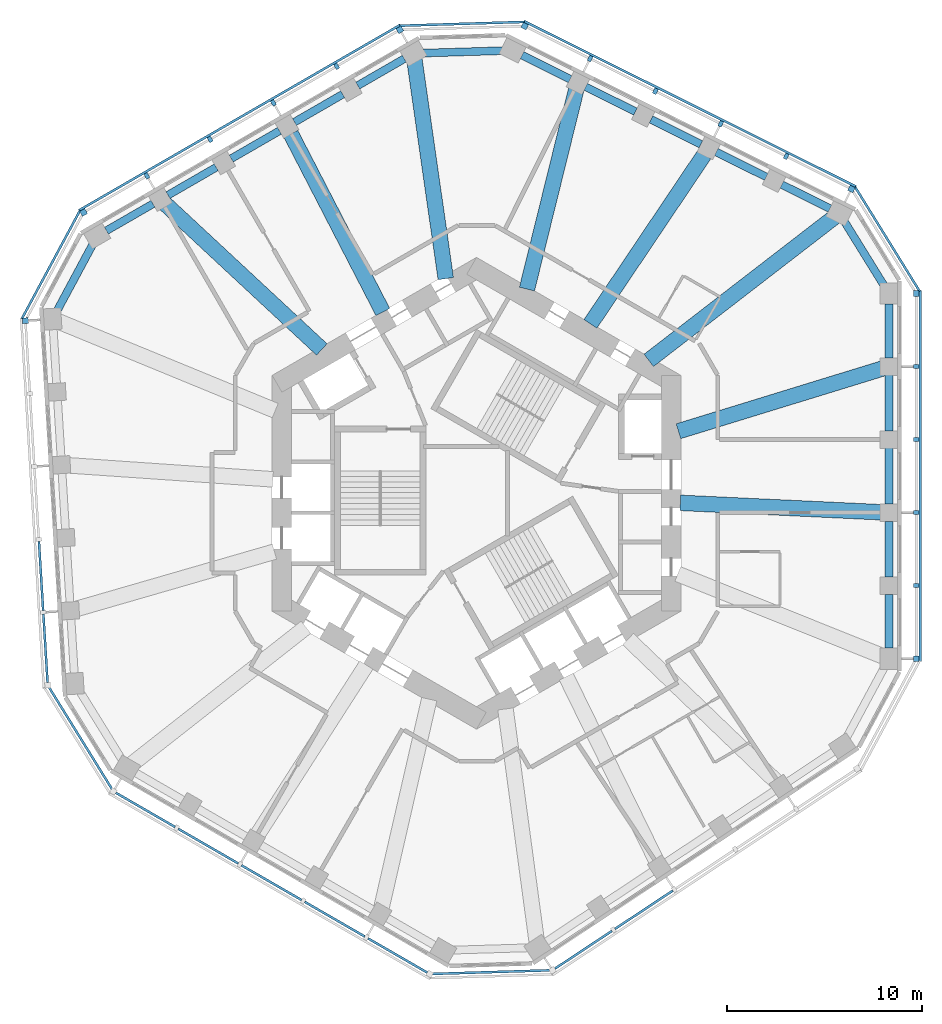
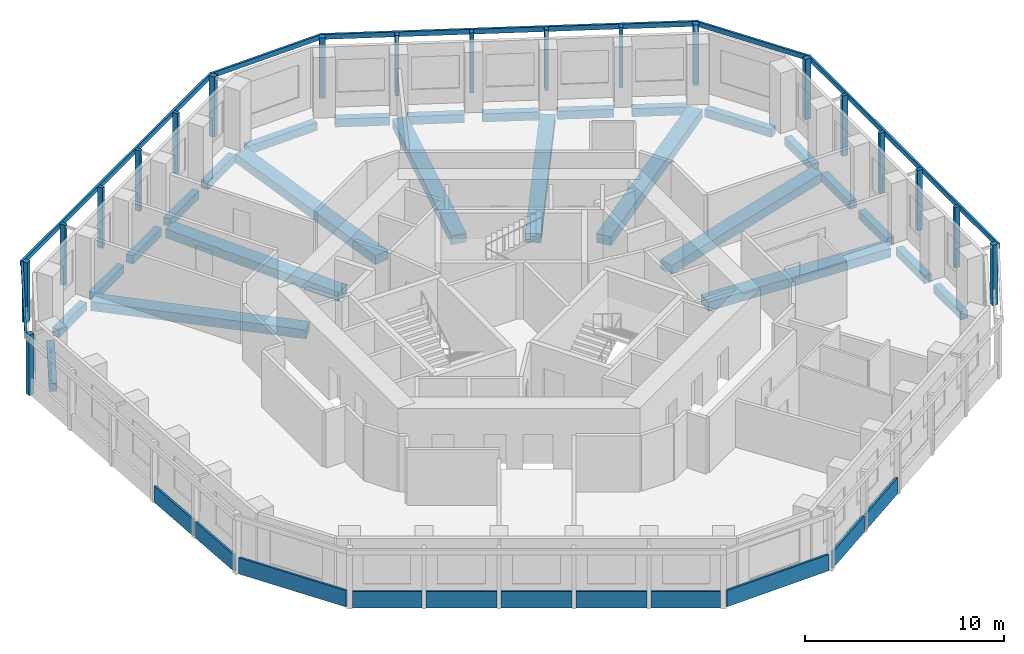
# One storey, part 2 of 10: 26 beams, 25 members, 11 plates, 11 elements without a shape of their own.
"""IFC4 building model written with IfcOpenShell, lengths in metres."""

from ifc_helpers import new_model, si_unit, direction, frame, origin, origin_2d, place, context, subcontext, project, spatial, rectangle, extrude, material, layer, layer_set, material_profile, profile_set, type_object, element, aggregate, save


model = new_model("IFC4")

# Units and contexts
model_context = context("Model", 3, precision=1e-05, world=origin(), true_north=direction((0.0, 1.0)))
body_context = subcontext(model_context, "Body", "Model", "MODEL_VIEW")
ifc_project = project(units=[si_unit("LENGTHUNIT", "METRE"), si_unit("AREAUNIT", "SQUARE_METRE"), si_unit("VOLUMEUNIT", "CUBIC_METRE"), si_unit("PLANEANGLEUNIT", "RADIAN"), si_unit("MASSUNIT", "GRAM", prefix="KILO")], contexts=[model_context])

# Site, building, storey
site_placement = place(None, origin())
site = spatial("IfcSite", under=ifc_project, at=site_placement, CompositionType="ELEMENT")
building_placement = place(site_placement, origin())
building = spatial("IfcBuilding", under=site, at=building_placement, Name="Vanh Sen Convention Tower", CompositionType="ELEMENT")
storey_placement = place(building_placement, frame((0.0, 0.0, 194.699951171875)))
storey = spatial("IfcBuildingStorey", under=building, at=storey_placement, Name="L48", CompositionType="ELEMENT", Elevation=194.699951171875)

# Curtain wall, members
ifc_material_1 = material(Name="Concrete C50/60", Category="concrete")
curtain_wall_type = type_object("IfcCurtainWallType", Name="Outer skin office zone", PredefinedType="NOTDEFINED", material=ifc_material_1)
curtain_wall_1_placement = place(storey_placement, origin())
curtain_wall_1 = element("IfcCurtainWall", 1, at=curtain_wall_1_placement, inside=storey, type_object=curtain_wall_type, Name="OUTER SKIN E L48", PredefinedType="NOTDEFINED")
ifc_material_profile_1 = material_profile(ifc_material_1, rectangle(XDim=0.300048828125, YDim=0.300048828125, at=origin_2d()), Name="Outer skin precast corner fin 300 x 300")
ifc_profile_set_1 = profile_set([ifc_material_profile_1], Name="Concrete C50/60")
member_type_1 = type_object("IfcMemberType", Name="Outer skin precast corner fin 300 x 300", PredefinedType="MULLION", material=ifc_profile_set_1)
member_1_placement = place(storey_placement, frame((22.60009765625, -8.5009765625, 0.0), z_axis=(0.0, 0.0, 1.0), x_axis=(0.0, 1.0, 0.0)))
member_1 = element("IfcMember", 2, at=member_1_placement, type_object=member_type_1, Name="OUTER SKIN CORNER FIN 1 E L48", PredefinedType="MULLION", context=body_context, shape_type="SweptSolid", body=[
    extrude(rectangle(XDim=0.300048828125, YDim=0.300048828125, at=origin_2d()), origin(), (0.0, 0.0, 1.0), 3.699951171875),
])
member_2_placement = place(storey_placement, frame((22.60009765625, 10.26953125, 0.0), z_axis=(0.0, 0.0, 1.0), x_axis=(0.0, 1.0, 0.0)))
member_2 = element("IfcMember", 3, at=member_2_placement, type_object=member_type_1, Name="OUTER SKIN CORNER FIN 6 E L48", PredefinedType="MULLION", context=body_context, shape_type="SweptSolid", body=[
    extrude(rectangle(XDim=0.300048828125, YDim=0.300048828125, at=origin_2d()), origin(), (0.0, 0.0, 1.0), 3.699951171875),
])

curtain_wall_2_placement = place(storey_placement, origin())
curtain_wall_2 = element("IfcCurtainWall", 4, at=curtain_wall_2_placement, inside=storey, type_object=curtain_wall_type, Name="OUTER SKIN NE L48", PredefinedType="NOTDEFINED")
member_3_placement = place(storey_placement, frame((19.274658203125, 15.643310546875, 0.0), z_axis=(0.0, 0.0, 1.0), x_axis=(-0.894934361602, 0.44619781311, 0.0)))
member_3 = element("IfcMember", 5, at=member_3_placement, type_object=member_type_1, Name="OUTER SKIN CORNER FIN 1 NE L48", PredefinedType="MULLION", context=body_context, shape_type="SweptSolid", body=[
    extrude(rectangle(XDim=0.300048828125, YDim=0.300048828125, at=origin_2d()), origin(), (0.0, 0.0, 1.0), 3.699951171875),
])
member_4_placement = place(storey_placement, frame((2.476318359375, 24.0185546875, 0.0), z_axis=(0.0, 0.0, 1.0), x_axis=(-0.894934361602, 0.44619781311, 0.0)))
member_4 = element("IfcMember", 6, at=member_4_placement, type_object=member_type_1, Name="OUTER SKIN CORNER FIN 6 NE L48", PredefinedType="MULLION", context=body_context, shape_type="SweptSolid", body=[
    extrude(rectangle(XDim=0.300048828125, YDim=0.300048828125, at=origin_2d()), origin(), (0.0, 0.0, 1.0), 3.699951171875),
])

curtain_wall_3_placement = place(storey_placement, origin())
curtain_wall_3 = element("IfcCurtainWall", 7, at=curtain_wall_3_placement, inside=storey, type_object=curtain_wall_type, Name="OUTER SKIN NW L48", PredefinedType="NOTDEFINED")
member_5_placement = place(storey_placement, frame((-3.93798828125, 23.822509765625, 0.0), z_axis=(0.0, 0.0, 1.0), x_axis=(-0.866025403784, -0.5, 0.0)))
member_5 = element("IfcMember", 8, at=member_5_placement, type_object=member_type_1, Name="OUTER SKIN CORNER FIN 1 NW L48", PredefinedType="MULLION", context=body_context, shape_type="SweptSolid", body=[
    extrude(rectangle(XDim=0.300048828125, YDim=0.300048828125, at=origin_2d()), origin(), (0.0, 0.0, 1.0), 3.699951171875),
])
member_6_placement = place(storey_placement, frame((-20.193603515625, 14.4375, 0.0), z_axis=(0.0, 0.0, 1.0), x_axis=(-0.866025403784, -0.5, 0.0)))
member_6 = element("IfcMember", 9, at=member_6_placement, type_object=member_type_1, Name="OUTER SKIN CORNER FIN 6 NW L48", PredefinedType="MULLION", context=body_context, shape_type="SweptSolid", body=[
    extrude(rectangle(XDim=0.300048828125, YDim=0.300048828125, at=origin_2d()), origin(), (0.0, 0.0, 1.0), 3.699951171875),
])

# Curtain wall, member
curtain_wall_4_placement = place(storey_placement, origin())
curtain_wall_4 = element("IfcCurtainWall", 10, at=curtain_wall_4_placement, inside=storey, type_object=curtain_wall_type, Name="OUTER SKIN W L48", PredefinedType="NOTDEFINED")
member_7_placement = place(storey_placement, frame((-23.184814453125, 8.87060546875, 0.0), z_axis=(0.0, 0.0, 1.0), x_axis=(0.061048539535, -0.998134798422, 0.0)))
member_7 = element("IfcMember", 11, at=member_7_placement, type_object=member_type_1, Name="OUTER SKIN CORNER FIN 1 W L48", PredefinedType="MULLION", context=body_context, shape_type="SweptSolid", body=[
    extrude(rectangle(XDim=0.300048828125, YDim=0.300048828125, at=origin_2d()), origin(), (0.0, 0.0, 1.0), 3.699951171875),
])

# Member
ifc_material_profile_2 = material_profile(ifc_material_1, rectangle(XDim=0.199951171875, YDim=0.300048828125, at=origin_2d()), Name="Outer skin precast fin 200 x 300")
ifc_profile_set_2 = profile_set([ifc_material_profile_2], Name="Concrete C50/60")
member_type_2 = type_object("IfcMemberType", Name="Outer skin precast fin 200 x 300", PredefinedType="MULLION", material=ifc_profile_set_2)
member_8_placement = place(storey_placement, frame((22.60009765625, -4.746826171875, 0.0), z_axis=(0.0, 0.0, 1.0), x_axis=(0.0, 1.0, 0.0)))
member_8 = element("IfcMember", 12, at=member_8_placement, type_object=member_type_2, Name="OUTER SKIN fin 2 E L48", PredefinedType="MULLION", context=body_context, shape_type="SweptSolid", body=[
    extrude(rectangle(XDim=0.199951171875, YDim=0.300048828125, at=origin_2d()), origin(), (0.0, 0.0, 1.0), 3.699951171875),
])

member_9_placement = place(storey_placement, frame((22.60009765625, -0.992919921875, 0.0), z_axis=(0.0, 0.0, 1.0), x_axis=(0.0, 1.0, 0.0)))
member_9 = element("IfcMember", 13, at=member_9_placement, type_object=member_type_2, Name="OUTER SKIN fin 3 E L48", PredefinedType="MULLION", context=body_context, shape_type="SweptSolid", body=[
    extrude(rectangle(XDim=0.199951171875, YDim=0.300048828125, at=origin_2d()), origin(), (0.0, 0.0, 1.0), 3.699951171875),
])

member_10_placement = place(storey_placement, frame((22.60009765625, 2.76123046875, 0.0), z_axis=(0.0, 0.0, 1.0), x_axis=(0.0, 1.0, 0.0)))
member_10 = element("IfcMember", 14, at=member_10_placement, type_object=member_type_2, Name="OUTER SKIN fin 4 E L48", PredefinedType="MULLION", context=body_context, shape_type="SweptSolid", body=[
    extrude(rectangle(XDim=0.199951171875, YDim=0.300048828125, at=origin_2d()), origin(), (0.0, 0.0, 1.0), 3.699951171875),
])

member_11_placement = place(storey_placement, frame((22.60009765625, 6.515380859375, 0.0), z_axis=(0.0, 0.0, 1.0), x_axis=(0.0, 1.0, 0.0)))
member_11 = element("IfcMember", 15, at=member_11_placement, type_object=member_type_2, Name="OUTER SKIN fin 5 E L48", PredefinedType="MULLION", context=body_context, shape_type="SweptSolid", body=[
    extrude(rectangle(XDim=0.199951171875, YDim=0.300048828125, at=origin_2d()), origin(), (0.0, 0.0, 1.0), 3.699951171875),
])

member_12_placement = place(storey_placement, frame((15.9150390625, 17.318359375, 0.0), z_axis=(0.0, 0.0, 1.0), x_axis=(-0.894934361602, 0.44619781311, 0.0)))
member_12 = element("IfcMember", 16, at=member_12_placement, type_object=member_type_2, Name="OUTER SKIN fin 2 NE L48", PredefinedType="MULLION", context=body_context, shape_type="SweptSolid", body=[
    extrude(rectangle(XDim=0.199951171875, YDim=0.300048828125, at=origin_2d()), origin(), (0.0, 0.0, 1.0), 3.699951171875),
])

member_13_placement = place(storey_placement, frame((12.555419921875, 18.993408203125, 0.0), z_axis=(0.0, 0.0, 1.0), x_axis=(-0.894934361602, 0.44619781311, 0.0)))
member_13 = element("IfcMember", 17, at=member_13_placement, type_object=member_type_2, Name="OUTER SKIN fin 3 NE L48", PredefinedType="MULLION", context=body_context, shape_type="SweptSolid", body=[
    extrude(rectangle(XDim=0.199951171875, YDim=0.300048828125, at=origin_2d()), origin(), (0.0, 0.0, 1.0), 3.699951171875),
])

member_14_placement = place(storey_placement, frame((9.195556640625, 20.66845703125, 0.0), z_axis=(0.0, 0.0, 1.0), x_axis=(-0.894934361602, 0.44619781311, 0.0)))
member_14 = element("IfcMember", 18, at=member_14_placement, type_object=member_type_2, Name="OUTER SKIN fin 4 NE L48", PredefinedType="MULLION", context=body_context, shape_type="SweptSolid", body=[
    extrude(rectangle(XDim=0.199951171875, YDim=0.300048828125, at=origin_2d()), origin(), (0.0, 0.0, 1.0), 3.699951171875),
])

member_15_placement = place(storey_placement, frame((5.8359375, 22.343505859375, 0.0), z_axis=(0.0, 0.0, 1.0), x_axis=(-0.894934361602, 0.44619781311, 0.0)))
member_15 = element("IfcMember", 19, at=member_15_placement, type_object=member_type_2, Name="OUTER SKIN fin 5 NE L48", PredefinedType="MULLION", context=body_context, shape_type="SweptSolid", body=[
    extrude(rectangle(XDim=0.199951171875, YDim=0.300048828125, at=origin_2d()), origin(), (0.0, 0.0, 1.0), 3.699951171875),
])

member_16_placement = place(storey_placement, frame((-7.189208984375, 21.945556640625, 0.0), z_axis=(0.0, 0.0, 1.0), x_axis=(-0.866025403784, -0.5, 0.0)))
member_16 = element("IfcMember", 20, at=member_16_placement, type_object=member_type_2, Name="OUTER SKIN fin 2 NW L48", PredefinedType="MULLION", context=body_context, shape_type="SweptSolid", body=[
    extrude(rectangle(XDim=0.199951171875, YDim=0.300048828125, at=origin_2d()), origin(), (0.0, 0.0, 1.0), 3.699951171875),
])

member_17_placement = place(storey_placement, frame((-10.440185546875, 20.068603515625, 0.0), z_axis=(0.0, 0.0, 1.0), x_axis=(-0.866025403784, -0.5, 0.0)))
member_17 = element("IfcMember", 21, at=member_17_placement, type_object=member_type_2, Name="OUTER SKIN fin 3 NW L48", PredefinedType="MULLION", context=body_context, shape_type="SweptSolid", body=[
    extrude(rectangle(XDim=0.199951171875, YDim=0.300048828125, at=origin_2d()), origin(), (0.0, 0.0, 1.0), 3.699951171875),
])

member_18_placement = place(storey_placement, frame((-13.69140625, 18.19140625, 0.0), z_axis=(0.0, 0.0, 1.0), x_axis=(-0.866025403784, -0.5, 0.0)))
member_18 = element("IfcMember", 22, at=member_18_placement, type_object=member_type_2, Name="OUTER SKIN fin 4 NW L48", PredefinedType="MULLION", context=body_context, shape_type="SweptSolid", body=[
    extrude(rectangle(XDim=0.199951171875, YDim=0.300048828125, at=origin_2d()), origin(), (0.0, 0.0, 1.0), 3.699951171875),
])

member_19_placement = place(storey_placement, frame((-16.9423828125, 16.314453125, 0.0), z_axis=(0.0, 0.0, 1.0), x_axis=(-0.866025403784, -0.5, 0.0)))
member_19 = element("IfcMember", 23, at=member_19_placement, type_object=member_type_2, Name="OUTER SKIN fin 5 NW L48", PredefinedType="MULLION", context=body_context, shape_type="SweptSolid", body=[
    extrude(rectangle(XDim=0.199951171875, YDim=0.300048828125, at=origin_2d()), origin(), (0.0, 0.0, 1.0), 3.699951171875),
])

ifc_material_profile_3 = material_profile(ifc_material_1, rectangle(XDim=0.1201171875, YDim=0.300048828125, at=origin_2d()), Name="Outer skin precast spandrel band 300 x 120")
ifc_profile_set_3 = profile_set([ifc_material_profile_3], Name="Concrete C50/60")
member_type_3 = type_object("IfcMemberType", Name="Outer skin precast spandrel band 300 x 120", PredefinedType="USERDEFINED", material=ifc_profile_set_3)
member_20_placement = place(storey_placement, frame((22.81005859375, -8.65087890625, 3.550048828125), z_axis=(0.0, 1.0, 0.0), x_axis=(-1.0, 0.0, 0.0)))
member_20 = element("IfcMember", 24, at=member_20_placement, type_object=member_type_3, Name="OUTER SKIN spandrel band E L48", ObjectType="TRANSOM", PredefinedType="USERDEFINED", context=body_context, shape_type="SweptSolid", body=[
    extrude(rectangle(XDim=0.1201171875, YDim=0.300048828125, at=origin_2d()), origin(), (0.0, 0.0, 1.0), 19.0703125),
])

aggregate(curtain_wall_1, [member_1, member_8, member_9, member_10, member_11, member_2, member_20])

# Curtain wall, member
curtain_wall_5_placement = place(storey_placement, origin())
curtain_wall_5 = element("IfcCurtainWall", 25, at=curtain_wall_5_placement, inside=storey, type_object=curtain_wall_type, Name="OUTER SKIN CH1 L48", PredefinedType="NOTDEFINED")
member_21_placement = place(storey_placement, frame((22.778564453125, 10.3798828125, 3.550048828125), z_axis=(-0.526173726926, 0.850377098171, 0.0), x_axis=(-0.850377098171, -0.526173726926, 0.0)))
member_21 = element("IfcMember", 26, at=member_21_placement, type_object=member_type_3, Name="OUTER SKIN spandrel band CH1 L48", ObjectType="TRANSOM", PredefinedType="USERDEFINED", context=body_context, shape_type="SweptSolid", body=[
    extrude(rectangle(XDim=0.1201171875, YDim=0.300048828125, at=origin_2d()), origin(), (0.0, 0.0, 1.0), 6.319580078125),
])
aggregate(curtain_wall_5, [member_21])

# Member
member_22_placement = place(storey_placement, frame((19.502685546875, 15.764404296875, 3.550048828125), z_axis=(-0.894941234474, 0.446184027996, 0.0), x_axis=(-0.446184027996, -0.894941234474, 0.0)))
member_22 = element("IfcMember", 27, at=member_22_placement, type_object=member_type_3, Name="OUTER SKIN spandrel band NE L48", ObjectType="TRANSOM", PredefinedType="USERDEFINED", context=body_context, shape_type="SweptSolid", body=[
    extrude(rectangle(XDim=0.1201171875, YDim=0.300048828125, at=origin_2d()), origin(), (0.0, 0.0, 1.0), 19.07080078125),
])

aggregate(curtain_wall_2, [member_3, member_12, member_13, member_14, member_15, member_4, member_22])

# Curtain wall, member
curtain_wall_6_placement = place(storey_placement, origin())
curtain_wall_6 = element("IfcCurtainWall", 28, at=curtain_wall_6_placement, inside=storey, type_object=curtain_wall_type, Name="OUTER SKIN CH2 L48", PredefinedType="NOTDEFINED")
member_23_placement = place(storey_placement, frame((2.4697265625, 24.228515625, 3.550048828125), z_axis=(-0.999533221695, -0.030550592913, 0.0), x_axis=(0.030550592913, -0.999533221695, 0.0)))
member_23 = element("IfcMember", 29, at=member_23_placement, type_object=member_type_3, Name="OUTER SKIN spandrel band CH2 L48", ObjectType="TRANSOM", PredefinedType="USERDEFINED", context=body_context, shape_type="SweptSolid", body=[
    extrude(rectangle(XDim=0.1201171875, YDim=0.300048828125, at=origin_2d()), origin(), (0.0, 0.0, 1.0), 6.4169921875),
])
aggregate(curtain_wall_6, [member_23])

# Member
member_24_placement = place(storey_placement, frame((-3.9130859375, 24.07958984375, 3.550048828125), z_axis=(-0.866023136587, -0.500003926881, 0.0), x_axis=(0.500003926881, -0.866023136587, 0.0)))
member_24 = element("IfcMember", 30, at=member_24_placement, type_object=member_type_3, Name="OUTER SKIN spandrel band NW L48", ObjectType="TRANSOM", PredefinedType="USERDEFINED", context=body_context, shape_type="SweptSolid", body=[
    extrude(rectangle(XDim=0.1201171875, YDim=0.300048828125, at=origin_2d()), origin(), (0.0, 0.0, 1.0), 19.070556640625),
])

aggregate(curtain_wall_3, [member_5, member_16, member_17, member_18, member_19, member_6, member_24])

# Curtain wall, member
curtain_wall_7_placement = place(storey_placement, origin())
curtain_wall_7 = element("IfcCurtainWall", 31, at=curtain_wall_7_placement, inside=storey, type_object=curtain_wall_type, Name="OUTER SKIN CH3 L48", PredefinedType="NOTDEFINED")
member_25_placement = place(storey_placement, frame((-20.378662109375, 14.536865234375, 3.550048828125), z_axis=(-0.47333707755, -0.880881383057, 0.0), x_axis=(0.880881383057, -0.47333707755, 0.0)))
member_25 = element("IfcMember", 32, at=member_25_placement, type_object=member_type_3, Name="OUTER SKIN spandrel band CH3 L48", ObjectType="TRANSOM", PredefinedType="USERDEFINED", context=body_context, shape_type="SweptSolid", body=[
    extrude(rectangle(XDim=0.1201171875, YDim=0.300048828125, at=origin_2d()), origin(), (0.0, 0.0, 1.0), 6.3193359375),
])
aggregate(curtain_wall_7, [member_25])

# Beams
ifc_material_2 = material(Name="Concrete C50/60", Category="concrete")
ifc_material_profile_4 = material_profile(ifc_material_2, rectangle(XDim=0.800048828125, YDim=0.550048828125, at=origin_2d()), Name="RC 800X550")
ifc_profile_set_4 = profile_set([ifc_material_profile_4], Name="Concrete C50/60")
beam_type_1 = type_object("IfcBeamType", Name="Radial floor beam 800 x 550", PredefinedType="BEAM", material=ifc_profile_set_4)
beam_1_placement = place(storey_placement, frame((20.773681640625, -0.972900390625, -0.554931640625), z_axis=(-0.998904385593, 0.046797739721, 0.0), x_axis=(-0.046797739721, -0.998904385593, 0.0)))
element("IfcBeam", 33, at=beam_1_placement, inside=storey, type_object=beam_type_1, Name="Radial beam 02 L48", PredefinedType="BEAM", context=body_context, shape_type="SweptSolid", body=[
    extrude(rectangle(XDim=0.800048828125, YDim=0.550048828125, at=origin_2d()), origin(), (0.0, 0.0, 1.0), 10.30859375),
])
beam_2_placement = place(storey_placement, frame((20.984619140625, 6.44921875, -0.554931640625), z_axis=(-0.955877901986, -0.293764253264, 0.0), x_axis=(0.293764253264, -0.955877901986, 0.0)))
element("IfcBeam", 34, at=beam_2_placement, inside=storey, type_object=beam_type_1, Name="Radial beam 03 L48", PredefinedType="BEAM", context=body_context, shape_type="SweptSolid", body=[
    extrude(rectangle(XDim=0.800048828125, YDim=0.550048828125, at=origin_2d()), origin(), (0.0, 0.0, 1.0), 11.096435546875),
])
beam_3_placement = place(storey_placement, frame((18.41162109375, 14.206298828125, -0.554931640625), z_axis=(-0.791722449679, -0.610880972591, 0.0), x_axis=(0.610880972591, -0.791722449679, 0.0)))
element("IfcBeam", 35, at=beam_3_placement, inside=storey, type_object=beam_type_1, Name="Radial beam 04 L48", PredefinedType="BEAM", context=body_context, shape_type="SweptSolid", body=[
    extrude(rectangle(XDim=0.800048828125, YDim=0.550048828125, at=origin_2d()), origin(), (0.0, 0.0, 1.0), 12.072021484375),
])
beam_4_placement = place(storey_placement, frame((11.709228515625, 17.411376953125, -0.554931640625), z_axis=(-0.55804705103, -0.829809308719, 0.0), x_axis=(0.829809308719, -0.55804705103, 0.0)))
element("IfcBeam", 36, at=beam_4_placement, inside=storey, type_object=beam_type_1, Name="Radial beam 05 L48", PredefinedType="BEAM", context=body_context, shape_type="SweptSolid", body=[
    extrude(rectangle(XDim=0.800048828125, YDim=0.550048828125, at=origin_2d()), origin(), (0.0, 0.0, 1.0), 10.490234375),
])
beam_5_placement = place(storey_placement, frame((5.14697265625, 20.83056640625, -0.554931640625), z_axis=(-0.239880379488, -0.970802453405, 0.0), x_axis=(0.970802453405, -0.239880379488, 0.0)))
element("IfcBeam", 37, at=beam_5_placement, inside=storey, type_object=beam_type_1, Name="Radial beam 06 L48", PredefinedType="BEAM", context=body_context, shape_type="SweptSolid", body=[
    extrude(rectangle(XDim=0.800048828125, YDim=0.550048828125, at=origin_2d()), origin(), (0.0, 0.0, 1.0), 10.647705078125),
])
beam_6_placement = place(storey_placement, frame((-3.192626953125, 22.2939453125, -0.554931640625), z_axis=(0.141775948022, -0.989898772887, 0.0), x_axis=(0.989898772887, 0.141775948022, 0.0)))
element("IfcBeam", 38, at=beam_6_placement, inside=storey, type_object=beam_type_1, Name="Radial beam 07 L48", PredefinedType="BEAM", context=body_context, shape_type="SweptSolid", body=[
    extrude(rectangle(XDim=0.800048828125, YDim=0.550048828125, at=origin_2d()), origin(), (0.0, 0.0, 1.0), 11.3740234375),
])
beam_7_placement = place(storey_placement, frame((-9.544189453125, 18.476806640625, -0.554931640625), z_axis=(0.458940914306, -0.888466790137, 0.0), x_axis=(0.888466790137, 0.458940914306, 0.0)))
element("IfcBeam", 39, at=beam_7_placement, inside=storey, type_object=beam_type_1, Name="Radial beam 08 L48", PredefinedType="BEAM", context=body_context, shape_type="SweptSolid", body=[
    extrude(rectangle(XDim=0.800048828125, YDim=0.550048828125, at=origin_2d()), origin(), (0.0, 0.0, 1.0), 10.308349609375),
])
beam_8_placement = place(storey_placement, frame((-16.077392578125, 14.948486328125, -0.554931640625), z_axis=(0.732348237662, -0.680930289232, 0.0), x_axis=(0.680930289232, 0.732348237662, 0.0)))
element("IfcBeam", 40, at=beam_8_placement, inside=storey, type_object=beam_type_1, Name="Radial beam 09 L48", PredefinedType="BEAM", context=body_context, shape_type="SweptSolid", body=[
    extrude(rectangle(XDim=0.800048828125, YDim=0.550048828125, at=origin_2d()), origin(), (0.0, 0.0, 1.0), 11.096435546875),
])
ifc_material_profile_5 = material_profile(ifc_material_2, rectangle(XDim=0.39990234375, YDim=0.5, at=origin_2d()), Name="RC 400X500")
ifc_profile_set_5 = profile_set([ifc_material_profile_5], Name="Concrete C50/60")
beam_type_2 = type_object("IfcBeamType", Name="Spandrel beam 400 x 500", PredefinedType="SPANDREL", material=ifc_profile_set_5)
beam_9_placement = place(storey_placement, frame((21.199951171875, -7.9560546875, -0.530029296875), z_axis=(0.0, 1.0, 0.0), x_axis=(-1.0, 0.0, 0.0)))
element("IfcBeam", 41, at=beam_9_placement, inside=storey, type_object=beam_type_2, Name="Spandrel beam 01 L48", PredefinedType="SPANDREL", context=body_context, shape_type="SweptSolid", body=[
    extrude(rectangle(XDim=0.39990234375, YDim=0.5, at=origin_2d()), origin(), (0.0, 0.0, 1.0), 2.76416015625),
])
for number, where, z_axis, x_axis, name in (
    (42, (21.199951171875, -4.302001953125, -0.530029296875), (0.0, 1.0, 0.0), (-1.0, 0.0, 0.0), "Spandrel beam 02 L48"),
    (43, (21.199951171875, -0.5478515625, -0.530029296875), (0.0, 1.0, 0.0), (-1.0, 0.0, 0.0), "Spandrel beam 03 L48"),
):
    element("IfcBeam", number, at=place(storey_placement, frame(where, z_axis=z_axis, x_axis=x_axis)), inside=storey, type_object=beam_type_2, Name=name, PredefinedType="SPANDREL", context=body_context, shape_type="SweptSolid", body=[
        extrude(rectangle(XDim=0.39990234375, YDim=0.5, at=origin_2d()), origin(), (0.0, 0.0, 1.0), 2.8642578125),
    ])
beam_10_placement = place(storey_placement, frame((21.199951171875, 3.206298828125, -0.530029296875), z_axis=(0.0, 1.0, 0.0), x_axis=(-1.0, 0.0, 0.0)))
element("IfcBeam", 44, at=beam_10_placement, inside=storey, type_object=beam_type_2, Name="Spandrel beam 04 L48", PredefinedType="SPANDREL", context=body_context, shape_type="SweptSolid", body=[
    extrude(rectangle(XDim=0.39990234375, YDim=0.5, at=origin_2d()), origin(), (0.0, 0.0, 1.0), 2.864013671875),
])
beam_11_placement = place(storey_placement, frame((21.199951171875, 6.96044921875, -0.530029296875), z_axis=(0.0, 1.0, 0.0), x_axis=(-1.0, 0.0, 0.0)))
element("IfcBeam", 45, at=beam_11_placement, inside=storey, type_object=beam_type_2, Name="Spandrel beam 05 L48", PredefinedType="SPANDREL", context=body_context, shape_type="SweptSolid", body=[
    extrude(rectangle(XDim=0.39990234375, YDim=0.5, at=origin_2d()), origin(), (0.0, 0.0, 1.0), 2.76416015625),
])
beam_12_placement = place(storey_placement, frame((20.927490234375, 10.7099609375, -0.530029296875), z_axis=(-0.526197985388, 0.850362087686, 0.0), x_axis=(-0.850362087686, -0.526197985388, 0.0)))
element("IfcBeam", 46, at=beam_12_placement, inside=storey, type_object=beam_type_2, Name="Spandrel beam 06 L48", PredefinedType="SPANDREL", context=body_context, shape_type="SweptSolid", body=[
    extrude(rectangle(XDim=0.39990234375, YDim=0.5, at=origin_2d()), origin(), (0.0, 0.0, 1.0), 3.81005859375),
])
beam_13_placement = place(storey_placement, frame((18.162353515625, 14.633544921875, -0.530029296875), z_axis=(-0.894938855842, 0.446188798945, 0.0), x_axis=(-0.446188798945, -0.894938855842, 0.0)))
element("IfcBeam", 47, at=beam_13_placement, inside=storey, type_object=beam_type_2, Name="Spandrel beam 07 L48", PredefinedType="SPANDREL", context=body_context, shape_type="SweptSolid", body=[
    extrude(rectangle(XDim=0.39990234375, YDim=0.5, at=origin_2d()), origin(), (0.0, 0.0, 1.0), 2.764404296875),
])
for number, where, z_axis, x_axis, name in (
    (48, (14.89208984375, 16.263916015625, -0.530029296875), (-0.894921028884, 0.446224553406, 0.0), (-0.446224553406, -0.894921028884, 0.0), "Spandrel beam 08 L48"),
    (49, (11.532470703125, 17.939208984375, -0.530029296875), (-0.894972032358, 0.446122249273, 0.0), (-0.446122249273, -0.894972032358, 0.0), "Spandrel beam 09 L48"),
):
    element("IfcBeam", number, at=place(storey_placement, frame(where, z_axis=z_axis, x_axis=x_axis)), inside=storey, type_object=beam_type_2, Name=name, PredefinedType="SPANDREL", context=body_context, shape_type="SweptSolid", body=[
        extrude(rectangle(XDim=0.39990234375, YDim=0.5, at=origin_2d()), origin(), (0.0, 0.0, 1.0), 2.8642578125),
    ])
beam_14_placement = place(storey_placement, frame((8.172607421875, 19.6142578125, -0.530029296875), z_axis=(-0.89495506643, 0.446156283236, 0.0), x_axis=(-0.446156283236, -0.89495506643, 0.0)))
element("IfcBeam", 50, at=beam_14_placement, inside=storey, type_object=beam_type_2, Name="Spandrel beam 10 L48", PredefinedType="SPANDREL", context=body_context, shape_type="SweptSolid", body=[
    extrude(rectangle(XDim=0.39990234375, YDim=0.5, at=origin_2d()), origin(), (0.0, 0.0, 1.0), 2.864013671875),
])
beam_15_placement = place(storey_placement, frame((4.81298828125, 21.289306640625, -0.530029296875), z_axis=(-0.894974121341, 0.446118058511, 0.0), x_axis=(-0.446118058511, -0.894974121341, 0.0)))
element("IfcBeam", 51, at=beam_15_placement, inside=storey, type_object=beam_type_2, Name="Spandrel beam 11 L48", PredefinedType="SPANDREL", context=body_context, shape_type="SweptSolid", body=[
    extrude(rectangle(XDim=0.39990234375, YDim=0.5, at=origin_2d()), origin(), (0.0, 0.0, 1.0), 2.76416015625),
])
beam_16_placement = place(storey_placement, frame((1.33984375, 22.75, -0.530029296875), z_axis=(-0.999533327508, -0.030547130814, 0.0), x_axis=(0.030547130814, -0.999533327508, 0.0)))
element("IfcBeam", 52, at=beam_16_placement, inside=storey, type_object=beam_type_2, Name="Spandrel beam 12 L48", PredefinedType="SPANDREL", context=body_context, shape_type="SweptSolid", body=[
    extrude(rectangle(XDim=0.39990234375, YDim=0.5, at=origin_2d()), origin(), (0.0, 0.0, 1.0), 4.068115234375),
])
beam_17_placement = place(storey_placement, frame((-3.7099609375, 22.337646484375, -0.530029296875), z_axis=(-0.866060565847, -0.499939092575, 0.0), x_axis=(0.499939092575, -0.866060565847, 0.0)))
element("IfcBeam", 53, at=beam_17_placement, inside=storey, type_object=beam_type_2, Name="Spandrel beam 13 L48", PredefinedType="SPANDREL", context=body_context, shape_type="SweptSolid", body=[
    extrude(rectangle(XDim=0.39990234375, YDim=0.5, at=origin_2d()), origin(), (0.0, 0.0, 1.0), 2.763916015625),
])
for number, where, z_axis, x_axis, name in (
    (54, (-6.87451171875, 20.5107421875, -0.530029296875), (-0.865999615357, -0.500044664207, 0.0), (0.500044664207, -0.865999615357, 0.0), "Spandrel beam 14 L48"),
    (55, (-10.12548828125, 18.633544921875, -0.530029296875), (-0.8660578368, -0.499943820161, 0.0), (0.499943820161, -0.8660578368, 0.0), "Spandrel beam 15 L48"),
):
    element("IfcBeam", number, at=place(storey_placement, frame(where, z_axis=z_axis, x_axis=x_axis)), inside=storey, type_object=beam_type_2, Name=name, PredefinedType="SPANDREL", context=body_context, shape_type="SweptSolid", body=[
        extrude(rectangle(XDim=0.39990234375, YDim=0.5, at=origin_2d()), origin(), (0.0, 0.0, 1.0), 2.864013671875),
    ])
beam_18_placement = place(storey_placement, frame((-13.376708984375, 16.756591796875, -0.530029296875), z_axis=(-0.866020927947, -0.500007752297, 0.0), x_axis=(0.500007752297, -0.866020927947, 0.0)))
element("IfcBeam", 56, at=beam_18_placement, inside=storey, type_object=beam_type_2, Name="Spandrel beam 16 L48", PredefinedType="SPANDREL", context=body_context, shape_type="SweptSolid", body=[
    extrude(rectangle(XDim=0.39990234375, YDim=0.5, at=origin_2d()), origin(), (0.0, 0.0, 1.0), 2.8642578125),
])
beam_19_placement = place(storey_placement, frame((-16.6279296875, 14.87939453125, -0.530029296875), z_axis=(-0.866060565847, -0.499939092575, 0.0), x_axis=(0.499939092575, -0.866060565847, 0.0)))
element("IfcBeam", 57, at=beam_19_placement, inside=storey, type_object=beam_type_2, Name="Spandrel beam 17 L48", PredefinedType="SPANDREL", context=body_context, shape_type="SweptSolid", body=[
    extrude(rectangle(XDim=0.39990234375, YDim=0.5, at=origin_2d()), origin(), (0.0, 0.0, 1.0), 2.763916015625),
])
beam_20_placement = place(storey_placement, frame((-19.739013671875, 12.768798828125, -0.530029296875), z_axis=(-0.473293335868, -0.880904886025, 0.0), x_axis=(0.880904886025, -0.473293335868, 0.0)))
element("IfcBeam", 58, at=beam_20_placement, inside=storey, type_object=beam_type_2, Name="Spandrel beam 18 L48", PredefinedType="SPANDREL", context=body_context, shape_type="SweptSolid", body=[
    extrude(rectangle(XDim=0.39990234375, YDim=0.5, at=origin_2d()), origin(), (0.0, 0.0, 1.0), 3.81005859375),
])

# Plate
ifc_layer = layer(ifc_material_1, 0.1201171875)
ifc_layer_set = layer_set([ifc_layer], Name="Concrete C50/60")
plate_type = type_object("IfcPlateType", Name="Outer skin precast screen panel 120", PredefinedType="CURTAIN_PANEL", material=ifc_layer_set)
plate_1_placement = place(storey_placement, frame((-22.382568359375, -4.244140625, 0.0), z_axis=(0.0, 0.0, 1.0), x_axis=(0.061025892559, -0.998136183312, 0.0)))
plate_1 = element("IfcPlate", 59, at=plate_1_placement, type_object=plate_type, Name="OUTER SKIN screen panel W-4", PredefinedType="CURTAIN_PANEL", context=body_context, shape_type="SweptSolid", body=[
    extrude(rectangle(XDim=3.55419921875, YDim=0.1201171875, at=origin_2d()), origin(), (0.0, 0.0, 1.0), 1.0),
])

plate_2_placement = place(storey_placement, frame((-22.155029296875, -7.96630859375, 0.0), z_axis=(0.0, 0.0, 1.0), x_axis=(0.061053765756, -0.998134478759, 0.0)))
plate_2 = element("IfcPlate", 60, at=plate_2_placement, type_object=plate_type, Name="OUTER SKIN screen panel W-5", PredefinedType="CURTAIN_PANEL", context=body_context, shape_type="SweptSolid", body=[
    extrude(rectangle(XDim=3.504150390625, YDim=0.1201171875, at=origin_2d()), origin(), (0.0, 0.0, 1.0), 1.0),
])

aggregate(curtain_wall_4, [member_7, plate_1, plate_2])

# Curtain wall, plate
curtain_wall_8_placement = place(storey_placement, origin())
curtain_wall_8 = element("IfcCurtainWall", 61, at=curtain_wall_8_placement, inside=storey, type_object=curtain_wall_type, Name="OUTER SKIN CH4 L48", PredefinedType="NOTDEFINED")
plate_3_placement = place(storey_placement, frame((-20.3505859375, -12.59326171875, 0.0), z_axis=(0.0, 0.0, 1.0), x_axis=(0.526218376078, -0.850349469734, 0.0)))
plate_3 = element("IfcPlate", 62, at=plate_3_placement, type_object=plate_type, Name="OUTER SKIN screen panel CH4-1", PredefinedType="CURTAIN_PANEL", context=body_context, shape_type="SweptSolid", body=[
    extrude(rectangle(XDim=6.1171875, YDim=0.1201171875, at=origin_2d()), origin(), (0.0, 0.0, 1.0), 1.0),
])
aggregate(curtain_wall_8, [plate_3])

# Curtain wall, plates
curtain_wall_9_placement = place(storey_placement, origin())
curtain_wall_9 = element("IfcCurtainWall", 63, at=curtain_wall_9_placement, inside=storey, type_object=curtain_wall_type, Name="OUTER SKIN SW L48", PredefinedType="NOTDEFINED")
plate_4_placement = place(storey_placement, frame((-17.014892578125, -16.272705078125, 0.0), z_axis=(0.0, 0.0, 1.0), x_axis=(0.86602365845, -0.500003022996, 0.0)))
plate_4 = element("IfcPlate", 64, at=plate_4_placement, type_object=plate_type, Name="OUTER SKIN screen panel SW-1", PredefinedType="CURTAIN_PANEL", context=body_context, shape_type="SweptSolid", body=[
    extrude(rectangle(XDim=3.504150390625, YDim=0.1201171875, at=origin_2d()), origin(), (0.0, 0.0, 1.0), 1.0),
])
plate_5_placement = place(storey_placement, frame((-13.785400390625, -18.13720703125, 0.0), z_axis=(0.0, 0.0, 1.0), x_axis=(0.866028021766, -0.499995465495, 0.0)))
plate_5 = element("IfcPlate", 65, at=plate_5_placement, type_object=plate_type, Name="OUTER SKIN screen panel SW-2", PredefinedType="CURTAIN_PANEL", context=body_context, shape_type="SweptSolid", body=[
    extrude(rectangle(XDim=3.553955078125, YDim=0.1201171875, at=origin_2d()), origin(), (0.0, 0.0, 1.0), 1.0),
])
plate_6_placement = place(storey_placement, frame((-10.5341796875, -20.014404296875, 0.0), z_axis=(0.0, 0.0, 1.0), x_axis=(0.86602365845, -0.500003022996, 0.0)))
plate_6 = element("IfcPlate", 66, at=plate_6_placement, type_object=plate_type, Name="OUTER SKIN screen panel SW-3", PredefinedType="CURTAIN_PANEL", context=body_context, shape_type="SweptSolid", body=[
    extrude(rectangle(XDim=3.55419921875, YDim=0.1201171875, at=origin_2d()), origin(), (0.0, 0.0, 1.0), 1.0),
])
plate_7_placement = place(storey_placement, frame((-7.283203125, -21.891357421875, 0.0), z_axis=(0.0, 0.0, 1.0), x_axis=(0.866016677006, -0.500015114919, 0.0)))
plate_7 = element("IfcPlate", 67, at=plate_7_placement, type_object=plate_type, Name="OUTER SKIN screen panel SW-4", PredefinedType="CURTAIN_PANEL", context=body_context, shape_type="SweptSolid", body=[
    extrude(rectangle(XDim=3.55419921875, YDim=0.1201171875, at=origin_2d()), origin(), (0.0, 0.0, 1.0), 1.0),
])
plate_8_placement = place(storey_placement, frame((-4.0537109375, -23.755859375, 0.0), z_axis=(0.0, 0.0, 1.0), x_axis=(0.866035002936, -0.499983373414, 0.0)))
plate_8 = element("IfcPlate", 68, at=plate_8_placement, type_object=plate_type, Name="OUTER SKIN screen panel SW-5", PredefinedType="CURTAIN_PANEL", context=body_context, shape_type="SweptSolid", body=[
    extrude(rectangle(XDim=3.504150390625, YDim=0.1201171875, at=origin_2d()), origin(), (0.0, 0.0, 1.0), 1.0),
])
aggregate(curtain_wall_9, [plate_4, plate_5, plate_6, plate_7, plate_8])

# Curtain wall, plate
curtain_wall_10_placement = place(storey_placement, origin())
curtain_wall_10 = element("IfcCurtainWall", 69, at=curtain_wall_10_placement, inside=storey, type_object=curtain_wall_type, Name="OUTER SKIN CH5 L48", PredefinedType="NOTDEFINED")
plate_9_placement = place(storey_placement, frame((0.751953125, -24.6103515625, 0.0), z_axis=(0.0, 0.0, 1.0), x_axis=(0.999533537535, 0.030540257725, 0.0)))
plate_9 = element("IfcPlate", 70, at=plate_9_placement, type_object=plate_type, Name="OUTER SKIN screen panel CH5-1", PredefinedType="CURTAIN_PANEL", context=body_context, shape_type="SweptSolid", body=[
    extrude(rectangle(XDim=6.019287109375, YDim=0.1201171875, at=origin_2d()), origin(), (0.0, 0.0, 1.0), 1.0),
])
aggregate(curtain_wall_10, [plate_9])

# Curtain wall, plates
curtain_wall_11_placement = place(storey_placement, origin())
curtain_wall_11 = element("IfcCurtainWall", 71, at=curtain_wall_11_placement, inside=storey, type_object=curtain_wall_type, Name="OUTER SKIN SE L48", PredefinedType="NOTDEFINED")
plate_10_placement = place(storey_placement, frame((5.49609375, -23.464111328125, 0.0), z_axis=(0.0, 0.0, 1.0), x_axis=(0.833889675294, 0.551931163677, 0.0)))
plate_10 = element("IfcPlate", 72, at=plate_10_placement, type_object=plate_type, Name="OUTER SKIN screen panel SE-1", PredefinedType="CURTAIN_PANEL", context=body_context, shape_type="SweptSolid", body=[
    extrude(rectangle(XDim=3.504150390625, YDim=0.1201171875, at=origin_2d()), origin(), (0.0, 0.0, 1.0), 1.0),
])
plate_11_placement = place(storey_placement, frame((8.60595703125, -21.406005859375, 0.0), z_axis=(0.0, 0.0, 1.0), x_axis=(0.833889675294, 0.551931163677, 0.0)))
plate_11 = element("IfcPlate", 73, at=plate_11_placement, type_object=plate_type, Name="OUTER SKIN screen panel SE-2", PredefinedType="CURTAIN_PANEL", context=body_context, shape_type="SweptSolid", body=[
    extrude(rectangle(XDim=3.55419921875, YDim=0.1201171875, at=origin_2d()), origin(), (0.0, 0.0, 1.0), 1.0),
])
aggregate(curtain_wall_11, [plate_10, plate_11])

save(model, "model.ifc")
